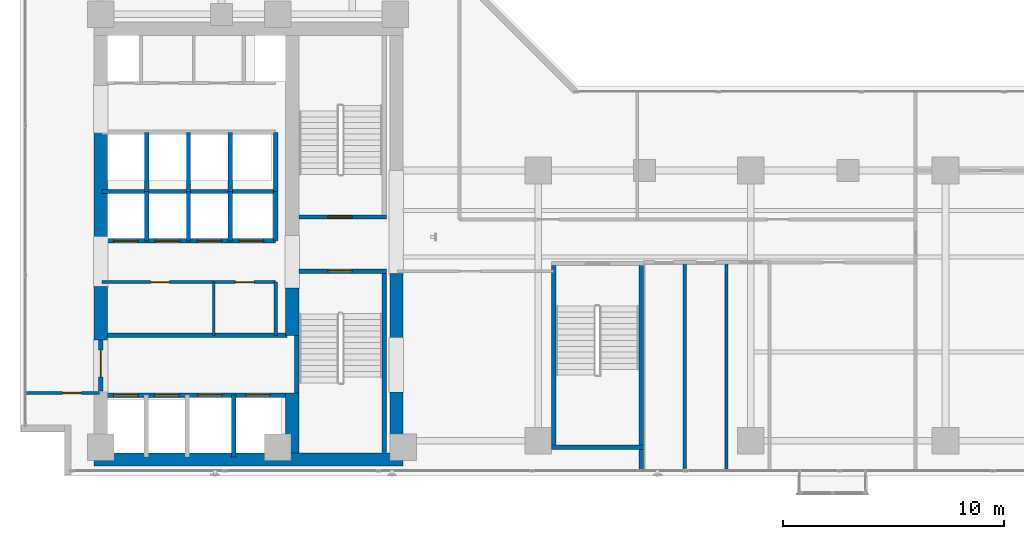
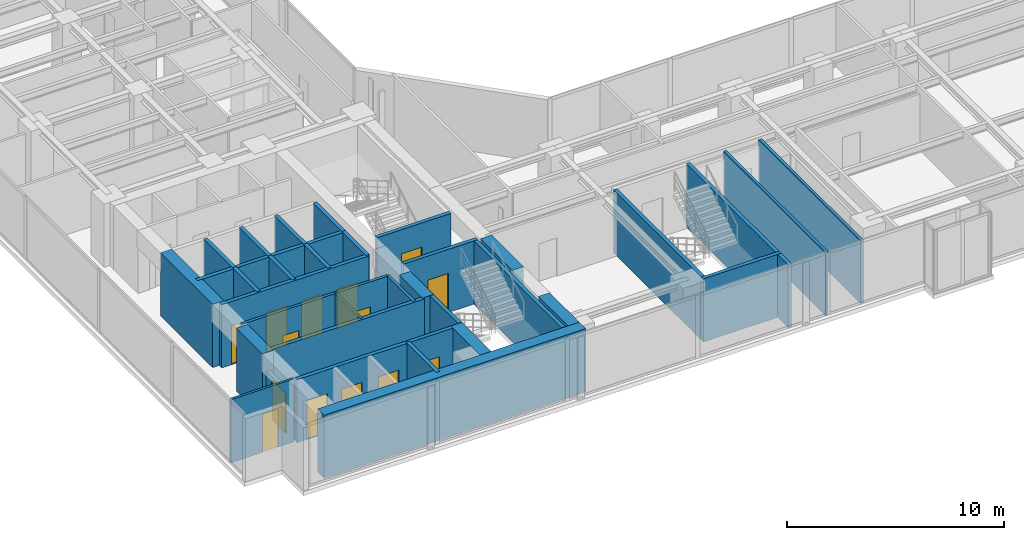
# One storey, part 19 of 26: 34 walls, 14 doors, 14 openings.
"""IFC4 building model written with IfcOpenShell, lengths in metres."""

from ifc_helpers import new_model, si_unit, direction, frame, frame_2d, origin, place, context, subcontext, project, spatial, rectangle, extrude, material, layer, layer_set, type_object, element, fill, save


model = new_model("IFC4")

# Units and contexts
model_context = context("Model", 3, precision=1e-05, world=origin(), true_north=direction((0.0, 1.0)))
body_context = subcontext(model_context, "Body", "Model", "MODEL_VIEW")
ifc_project = project(units=[si_unit("LENGTHUNIT", "METRE"), si_unit("AREAUNIT", "SQUARE_METRE"), si_unit("VOLUMEUNIT", "CUBIC_METRE"), si_unit("PLANEANGLEUNIT", "RADIAN"), si_unit("MASSUNIT", "GRAM", prefix="KILO")], contexts=[model_context])

# Site, building, storey
site_placement = place(None, origin())
site = spatial("IfcSite", under=ifc_project, at=site_placement, CompositionType="ELEMENT")
building_placement = place(site_placement, origin())
building = spatial("IfcBuilding", under=site, at=building_placement, Name="Kolvaren Waterfront Exchange", CompositionType="ELEMENT")
storey_placement = place(building_placement, frame((0.0, 0.0, 165.199951171875)))
storey = spatial("IfcBuildingStorey", under=building, at=storey_placement, Name="L42", CompositionType="ELEMENT", Elevation=165.199951171875)

# Wall, opening, door
ifc_material_1 = material(Name="Precast concrete C40/50", Category="concrete")
ifc_layer_1 = layer(ifc_material_1, 0.199951171875, Name="Precast concrete C40/50")
ifc_layer_set_1 = layer_set([ifc_layer_1], Name="Precast concrete C40/50")
wall_type_1 = type_object("IfcWallType", Name="ARC-FIRE-200", PredefinedType="PARTITIONING", material=ifc_layer_set_1)
wall_1_placement = place(storey_placement, frame((16.39990234375, 12.85009765625, 0.0), z_axis=(0.0, 0.0, 1.0), x_axis=(1.0, 0.0, 0.0)))
wall_1 = element("IfcWall", 1, at=wall_1_placement, inside=storey, type_object=wall_type_1, Name="L42 interior wall PW-L42-ST1-THROAT-S", PredefinedType="PARTITIONING", context=body_context, shape_type="SweptSolid", body=[
    extrude(rectangle(XDim=3.960205078125, YDim=0.199951171875, at=frame_2d((1.97998046875, 0.0))), origin(), (0.0, 0.0, 1.0), 3.56005859375),
])
opening_1_placement = place(wall_1_placement, frame((1.3037109375, 0.0, 0.0)))
opening_1 = element("IfcOpeningElement", 2, at=opening_1_placement, cuts=wall_1, Name="Opening FD2", PredefinedType="OPENING", context=body_context, shape_type="SweptSolid", body=[
    extrude(rectangle(XDim=1.10009765625, YDim=2.199951171875, at=frame_2d((0.550048828125, 1.10009765625))), frame((0.0, 0.10986328125, 0.0), z_axis=(0.0, -1.0, 0.0), x_axis=(1.0, 0.0, 0.0)), (0.0, 0.0, 1.0), 0.219970703125),
])
ifc_material_2 = material(Name="Pressed steel smoke-seal fire door", Category="steel")
door_type_1 = type_object("IfcDoorType", Name="ARC-FD-1100", OperationType="NOTDEFINED", PredefinedType="DOOR", material=ifc_material_2)
door_1_placement = place(opening_1_placement, frame((1.10009765625, 0.0, 0.0), z_axis=(0.0, 0.0, 1.0), x_axis=(-1.0, 0.0, 0.0)))
door_1 = element("IfcDoor", 3, at=door_1_placement, inside=storey, type_object=door_type_1, Name="L42 door DR-L42-ST1-IN (FD2)", OperationType="SINGLE_SWING_RIGHT", OverallHeight=2.199951171875, OverallWidth=1.10009765625, PredefinedType="DOOR", context=body_context, shape_type="SweptSolid", body=[
    extrude(rectangle(XDim=1.10009765625, YDim=2.199951171875, at=frame_2d((0.550048828125, 1.10009765625))), frame((0.0, 0.02490234375, 0.0), z_axis=(0.0, -1.0, 0.0), x_axis=(1.0, 0.0, 0.0)), (0.0, 0.0, 1.0), 0.050048828125),
])
fill(opening_1, door_1)

wall_2_placement = place(storey_placement, frame((16.409912109375, 15.300048828125, 0.0), z_axis=(0.0, 0.0, 1.0), x_axis=(1.0, 0.0, 0.0)))
wall_2 = element("IfcWall", 4, at=wall_2_placement, inside=storey, type_object=wall_type_1, Name="L42 interior wall PW-L42-ST2-THROAT-N", PredefinedType="PARTITIONING", context=body_context, shape_type="SweptSolid", body=[
    extrude(rectangle(XDim=3.9501953125, YDim=0.199951171875, at=frame_2d((1.97509765625, 0.0))), origin(), (0.0, 0.0, 1.0), 3.56005859375),
])
opening_2_placement = place(wall_2_placement, frame((1.293701171875, 0.0, 0.0)))
opening_2 = element("IfcOpeningElement", 5, at=opening_2_placement, cuts=wall_2, Name="Opening FD2", PredefinedType="OPENING", context=body_context, shape_type="SweptSolid", body=[
    extrude(rectangle(XDim=1.10009765625, YDim=2.199951171875, at=frame_2d((0.550048828125, 1.10009765625))), frame((0.0, 0.10986328125, 0.0), z_axis=(0.0, -1.0, 0.0), x_axis=(1.0, 0.0, 0.0)), (0.0, 0.0, 1.0), 0.219970703125),
])
door_2_placement = place(opening_2_placement, origin())
door_2 = element("IfcDoor", 6, at=door_2_placement, inside=storey, type_object=door_type_1, Name="L42 door DR-L42-ST2-IN (FD2)", OperationType="SINGLE_SWING_LEFT", OverallHeight=2.199951171875, OverallWidth=1.10009765625, PredefinedType="DOOR", context=body_context, shape_type="SweptSolid", body=[
    extrude(rectangle(XDim=1.10009765625, YDim=2.199951171875, at=frame_2d((0.550048828125, 1.10009765625))), frame((0.0, 0.02490234375, 0.0), z_axis=(0.0, -1.0, 0.0), x_axis=(1.0, 0.0, 0.0)), (0.0, 0.0, 1.0), 0.050048828125),
])
fill(opening_2, door_2)

# Wall
wall_3_placement = place(storey_placement, frame((7.5, 9.949951171875, 0.0), z_axis=(0.0, 0.0, 1.0), x_axis=(1.0, 0.0, 0.0)))
element("IfcWall", 7, at=wall_3_placement, inside=storey, type_object=wall_type_1, Name="L42 interior wall PW-L42-FF-N", PredefinedType="PARTITIONING", context=body_context, shape_type="SweptSolid", body=[
    extrude(rectangle(XDim=8.35009765625, YDim=0.199951171875, at=frame_2d((4.175048828125, 0.0))), origin(), (0.0, 0.0, 1.0), 3.56005859375),
])

# Wall, opening, door
wall_4_placement = place(storey_placement, frame((7.449951171875, 7.449951171875, 0.0), z_axis=(0.0, 0.0, 1.0), x_axis=(0.0, 1.0, 0.0)))
wall_4 = element("IfcWall", 8, at=wall_4_placement, inside=storey, type_object=wall_type_1, Name="L42 interior wall PW-L42-FF-W-DOOR", PredefinedType="PARTITIONING", context=body_context, shape_type="SweptSolid", body=[
    extrude(rectangle(XDim=2.300048828125, YDim=0.199951171875, at=frame_2d((1.14990234375, 0.0))), origin(), (0.0, 0.0, 1.0), 2.5400390625),
])
opening_3_placement = place(wall_4_placement, frame((0.63330078125, 0.0, 0.0)))
opening_3 = element("IfcOpeningElement", 9, at=opening_3_placement, cuts=wall_4, Name="Opening FD3", PredefinedType="OPENING", context=body_context, shape_type="SweptSolid", body=[
    extrude(rectangle(XDim=1.199951171875, YDim=2.25, at=frame_2d((0.60009765625, 1.125))), frame((0.0, 0.10986328125, 0.0), z_axis=(0.0, -1.0, 0.0), x_axis=(1.0, 0.0, 0.0)), (0.0, 0.0, 1.0), 0.219970703125),
])
ifc_material_3 = material(Name="Pressed steel fire door", Category="steel")
door_type_2 = type_object("IfcDoorType", Name="ARC-FD-1200", OperationType="NOTDEFINED", PredefinedType="DOOR", material=ifc_material_3)
door_3_placement = place(opening_3_placement, frame((1.199951171875, 0.0, 0.0), z_axis=(0.0, 0.0, 1.0), x_axis=(-1.0, 0.0, 0.0)))
door_3 = element("IfcDoor", 10, at=door_3_placement, inside=storey, type_object=door_type_2, Name="L42 door DR-L42-FF-OUT (FD3)", OperationType="SINGLE_SWING_LEFT", OverallHeight=2.25, OverallWidth=1.199951171875, PredefinedType="DOOR", context=body_context, shape_type="SweptSolid", body=[
    extrude(rectangle(XDim=1.199951171875, YDim=2.25, at=frame_2d((0.60009765625, 1.125))), frame((0.0, 0.02490234375, 0.0), z_axis=(0.0, -1.0, 0.0), x_axis=(1.0, 0.0, 0.0)), (0.0, 0.0, 1.0), 0.050048828125),
])
fill(opening_3, door_3)

# Wall
ifc_material_4 = material(Name="Acoustic gypsum steel stud", Category="steel")
ifc_layer_2 = layer(ifc_material_4, 0.125, Name="Acoustic gypsum steel stud")
ifc_layer_set_2 = layer_set([ifc_layer_2], Name="Acoustic gypsum steel stud")
wall_type_2 = type_object("IfcWallType", Name="ARC-PART-125", PredefinedType="PARTITIONING", material=ifc_layer_set_2)
wall_5_placement = place(storey_placement, frame((12.550048828125, 9.949951171875, 0.0), z_axis=(0.0, 0.0, 1.0), x_axis=(0.0, 1.0, 0.0)))
element("IfcWall", 11, at=wall_5_placement, inside=storey, type_object=wall_type_2, Name="L42 interior wall PW-L42-REC-PL-MID", PredefinedType="PARTITIONING", context=body_context, shape_type="SweptSolid", body=[
    extrude(rectangle(XDim=2.41015625, YDim=0.125, at=frame_2d((1.205078125, 0.0))), origin(), (0.0, 0.0, 1.0), 3.56005859375),
])

# Wall, opening, door
wall_6_placement = place(storey_placement, frame((4.0400390625, 7.35009765625, 0.0), z_axis=(0.0, 0.0, 1.0), x_axis=(1.0, 0.0, 0.0)))
wall_6 = element("IfcWall", 12, at=wall_6_placement, inside=storey, type_object=wall_type_2, Name="L42 interior wall PW-L42-SWC-N", PredefinedType="PARTITIONING", context=body_context, shape_type="SweptSolid", body=[
    extrude(rectangle(XDim=3.35986328125, YDim=0.125, at=frame_2d((1.679931640625, 0.0))), origin(), (0.0, 0.0, 1.0), 3.56005859375),
])
opening_4_placement = place(wall_6_placement, frame((1.686767578125, 0.0, 0.0)))
opening_4 = element("IfcOpeningElement", 13, at=opening_4_placement, cuts=wall_6, Name="Opening D01", PredefinedType="OPENING", context=body_context, shape_type="SweptSolid", body=[
    extrude(rectangle(XDim=0.85009765625, YDim=2.14990234375, at=frame_2d((0.425048828125, 1.074951171875))), frame((0.0, 0.072509765625, 0.0), z_axis=(0.0, -1.0, 0.0), x_axis=(1.0, 0.0, 0.0)), (0.0, 0.0, 1.0), 0.14501953125),
])
ifc_material_5 = material(Name="Oak veneer timber leaf", Category="wood")
door_type_3 = type_object("IfcDoorType", Name="ARC-DR-900", OperationType="NOTDEFINED", PredefinedType="DOOR", material=ifc_material_5)
door_4_placement = place(opening_4_placement, origin())
door_4 = element("IfcDoor", 14, at=door_4_placement, inside=storey, type_object=door_type_3, Name="L42 door DR-L42-SWC-D (D01)", OperationType="SINGLE_SWING_LEFT", OverallHeight=2.14990234375, OverallWidth=0.85009765625, PredefinedType="DOOR", context=body_context, shape_type="SweptSolid", body=[
    extrude(rectangle(XDim=0.85009765625, YDim=2.14990234375, at=frame_2d((0.425048828125, 1.074951171875))), frame((0.0, 0.02490234375, 0.0), z_axis=(0.0, -1.0, 0.0), x_axis=(1.0, 0.0, 0.0)), (0.0, 0.0, 1.0), 0.050048828125),
])
fill(opening_4, door_4)

# Wall, openings, doors
ifc_material_6 = material(Name="Gypsum fireboard steel stud", Category="steel")
ifc_layer_3 = layer(ifc_material_6, 0.14990234375, Name="Gypsum fireboard steel stud")
ifc_layer_set_3 = layer_set([ifc_layer_3], Name="Gypsum fireboard steel stud")
wall_type_3 = type_object("IfcWallType", Name="ARC-PART-150", PredefinedType="PARTITIONING", material=ifc_layer_set_3)
wall_7_placement = place(storey_placement, frame((7.5, 12.360107421875, 0.0), z_axis=(0.0, 0.0, 1.0), x_axis=(1.0, 0.0, 0.0)))
wall_7 = element("IfcWall", 15, at=wall_7_placement, inside=storey, type_object=wall_type_3, Name="L42 interior wall PW-L42-REC-PL-N", PredefinedType="PARTITIONING", context=body_context, shape_type="SweptSolid", body=[
    extrude(rectangle(XDim=7.85009765625, YDim=0.14990234375, at=frame_2d((3.925048828125, 0.0))), origin(), (0.0, 0.0, 1.0), 3.56005859375),
])
opening_5_placement = place(wall_7_placement, frame((2.202392578125, 0.0, 0.0)))
opening_5 = element("IfcOpeningElement", 16, at=opening_5_placement, cuts=wall_7, Name="Opening D01", PredefinedType="OPENING", context=body_context, shape_type="SweptSolid", body=[
    extrude(rectangle(XDim=0.85009765625, YDim=2.14990234375, at=frame_2d((0.425048828125, 1.074951171875))), frame((0.0, 0.0849609375, 0.0), z_axis=(0.0, -1.0, 0.0), x_axis=(1.0, 0.0, 0.0)), (0.0, 0.0, 1.0), 0.169921875),
])
opening_6_placement = place(wall_7_placement, frame((6.02490234375, 0.0, 0.0)))
opening_6 = element("IfcOpeningElement", 17, at=opening_6_placement, cuts=wall_7, Name="Opening D01", PredefinedType="OPENING", context=body_context, shape_type="SweptSolid", body=[
    extrude(rectangle(XDim=0.85009765625, YDim=2.14990234375, at=frame_2d((0.425048828125, 1.074951171875))), frame((0.0, 0.0849609375, 0.0), z_axis=(0.0, -1.0, 0.0), x_axis=(1.0, 0.0, 0.0)), (0.0, 0.0, 1.0), 0.169921875),
])
door_5_placement = place(opening_5_placement, origin())
door_5 = element("IfcDoor", 18, at=door_5_placement, inside=storey, type_object=door_type_3, Name="L42 door DR-L42-REC-PL-D1 (D01)", OperationType="SINGLE_SWING_RIGHT", OverallHeight=2.14990234375, OverallWidth=0.85009765625, PredefinedType="DOOR", context=body_context, shape_type="SweptSolid", body=[
    extrude(rectangle(XDim=0.85009765625, YDim=2.14990234375, at=frame_2d((0.425048828125, 1.074951171875))), frame((0.0, 0.02490234375, 0.0), z_axis=(0.0, -1.0, 0.0), x_axis=(1.0, 0.0, 0.0)), (0.0, 0.0, 1.0), 0.050048828125),
])
fill(opening_5, door_5)
door_6_placement = place(opening_6_placement, origin())
door_6 = element("IfcDoor", 19, at=door_6_placement, inside=storey, type_object=door_type_3, Name="L42 door DR-L42-REC-PL-D2 (D01)", OperationType="SINGLE_SWING_LEFT", OverallHeight=2.14990234375, OverallWidth=0.85009765625, PredefinedType="DOOR", context=body_context, shape_type="SweptSolid", body=[
    extrude(rectangle(XDim=0.85009765625, YDim=2.14990234375, at=frame_2d((0.425048828125, 1.074951171875))), frame((0.0, 0.02490234375, 0.0), z_axis=(0.0, -1.0, 0.0), x_axis=(1.0, 0.0, 0.0)), (0.0, 0.0, 1.0), 0.050048828125),
])
fill(opening_6, door_6)

# Walls
wall_8_placement = place(storey_placement, frame((15.35009765625, 9.949951171875, 0.0), z_axis=(0.0, 0.0, 1.0), x_axis=(0.0, 1.0, 0.0)))
element("IfcWall", 20, at=wall_8_placement, inside=storey, type_object=wall_type_3, Name="L42 interior wall PW-L42-REC-PL-E", PredefinedType="PARTITIONING", context=body_context, shape_type="SweptSolid", body=[
    extrude(rectangle(XDim=2.41015625, YDim=0.14990234375, at=frame_2d((1.205078125, 0.0))), origin(), (0.0, 0.0, 1.0), 3.56005859375),
])
ifc_material_7 = material(Name="Moisture-resistant gypsum stud")
ifc_layer_4 = layer(ifc_material_7, 0.14990234375, Name="Moisture-resistant gypsum stud")
ifc_layer_set_4 = layer_set([ifc_layer_4], Name="Moisture-resistant gypsum stud")
wall_type_4 = type_object("IfcWallType", Name="ARC-PLUMB-150", PredefinedType="PLUMBINGWALL", material=ifc_layer_set_4)
for number, where, z_axis, x_axis, name in (
    (21, (33.830078125, 3.840087890625, 0.0), (0.0, 0.0, 1.0), (0.0, 1.0, 0.0), "L42 interior wall PW-L42-WC-1"),
    (22, (35.7099609375, 3.840087890625, 0.0), (0.0, 0.0, 1.0), (0.0, 1.0, 0.0), "L42 interior wall PW-L42-WC-2"),
):
    element("IfcWall", number, at=place(storey_placement, frame(where, z_axis=z_axis, x_axis=x_axis)), inside=storey, type_object=wall_type_4, Name=name, PredefinedType="PLUMBINGWALL", context=body_context, shape_type="SweptSolid", body=[
        extrude(rectangle(XDim=9.409912109375, YDim=0.14990234375, at=frame_2d((4.705078125, 0.0))), origin(), (0.0, 0.0, 1.0), 3.56005859375),
    ])
ifc_material_8 = material(Name="Concrete C40/50", Category="concrete")
ifc_layer_5 = layer(ifc_material_8, 0.199951171875, Name="Concrete C40/50")
ifc_layer_set_5 = layer_set([ifc_layer_5], Name="Concrete C40/50")
wall_type_5 = type_object("IfcWallType", Name="ARC-SHAFT-200", PredefinedType="PARTITIONING", material=ifc_layer_set_5)
wall_9_placement = place(storey_placement, frame((16.300048828125, 7.360107421875, 0.0), z_axis=(0.0, 0.0, 1.0), x_axis=(0.0, 1.0, 0.0)))
element("IfcWall", 23, at=wall_9_placement, inside=storey, type_object=wall_type_5, Name="L42 structural stairwell wall PW-L42-ST1-W", PredefinedType="SHEAR", context=body_context, shape_type="SweptSolid", body=[
    extrude(rectangle(XDim=2.579833984375, YDim=0.199951171875, at=frame_2d((1.2900390625, 0.0))), origin(), (0.0, 0.0, 1.0), 3.56005859375),
])
wall_10_placement = place(storey_placement, frame((20.260009765625, 4.659912109375, 0.0), z_axis=(0.0, 0.0, 1.0), x_axis=(0.0, 1.0, 0.0)))
element("IfcWall", 24, at=wall_10_placement, inside=storey, type_object=wall_type_5, Name="L42 structural stairwell wall PW-L42-ST1-E", PredefinedType="SHEAR", context=body_context, shape_type="SweptSolid", body=[
    extrude(rectangle(XDim=8.090087890625, YDim=0.199951171875, at=frame_2d((4.044921875, 0.0))), origin(), (0.0, 0.0, 1.0), 3.56005859375),
])
wall_11_placement = place(storey_placement, frame((27.89990234375, 5.0, 0.0), z_axis=(0.0, 0.0, 1.0), x_axis=(0.0, 1.0, 0.0)))
element("IfcWall", 25, at=wall_11_placement, inside=storey, type_object=wall_type_5, Name="L42 structural stairwell wall PW-L42-ST3-W", PredefinedType="SHEAR", context=body_context, shape_type="SweptSolid", body=[
    extrude(rectangle(XDim=8.10009765625, YDim=0.199951171875, at=frame_2d((4.050048828125, 0.0))), origin(), (0.0, 0.0, 1.0), 3.56005859375),
])
wall_12_placement = place(storey_placement, frame((31.860107421875, 3.840087890625, 0.0), z_axis=(0.0, 0.0, 1.0), x_axis=(0.0, 1.0, 0.0)))
element("IfcWall", 26, at=wall_12_placement, inside=storey, type_object=wall_type_5, Name="L42 structural stairwell wall PW-L42-ST3-E", PredefinedType="SHEAR", context=body_context, shape_type="SweptSolid", body=[
    extrude(rectangle(XDim=9.409912109375, YDim=0.199951171875, at=frame_2d((4.705078125, 0.0))), origin(), (0.0, 0.0, 1.0), 3.56005859375),
])
wall_13_placement = place(storey_placement, frame((27.800048828125, 4.89990234375, 0.0), z_axis=(0.0, 0.0, 1.0), x_axis=(1.0, 0.0, 0.0)))
element("IfcWall", 27, at=wall_13_placement, inside=storey, type_object=wall_type_5, Name="L42 structural stairwell wall PW-L42-ST3-S", PredefinedType="SHEAR", context=body_context, shape_type="SweptSolid", body=[
    extrude(rectangle(XDim=4.159912109375, YDim=0.199951171875, at=frame_2d((2.080078125, 0.0))), origin(), (0.0, 0.0, 1.0), 3.56005859375),
])

# Wall, openings, doors
wall_14_placement = place(storey_placement, frame((7.5, 7.25, 0.0), z_axis=(0.0, 0.0, 1.0), x_axis=(1.0, 0.0, 0.0)))
wall_14 = element("IfcWall", 28, at=wall_14_placement, inside=storey, type_object=wall_type_5, Name="L42 interior wall PW-L42-FF-S", PredefinedType="PARTITIONING", context=body_context, shape_type="SweptSolid", body=[
    extrude(rectangle(XDim=8.35009765625, YDim=0.199951171875, at=frame_2d((4.175048828125, 0.0))), origin(), (0.0, 0.0, 1.0), 3.56005859375),
])
opening_7_placement = place(wall_14_placement, frame((0.530029296875, 0.0, 0.0)))
opening_7 = element("IfcOpeningElement", 29, at=opening_7_placement, cuts=wall_14, Name="Opening LD1", PredefinedType="OPENING", context=body_context, shape_type="SweptSolid", body=[
    extrude(rectangle(XDim=1.10009765625, YDim=2.199951171875, at=frame_2d((0.550048828125, 1.10009765625))), frame((0.0, 0.10986328125, 0.0), z_axis=(0.0, -1.0, 0.0), x_axis=(1.0, 0.0, 0.0)), (0.0, 0.0, 1.0), 0.219970703125),
])
opening_8_placement = place(wall_14_placement, frame((2.3701171875, 0.0, 0.0)))
opening_8 = element("IfcOpeningElement", 30, at=opening_8_placement, cuts=wall_14, Name="Opening LD1", PredefinedType="OPENING", context=body_context, shape_type="SweptSolid", body=[
    extrude(rectangle(XDim=1.10009765625, YDim=2.199951171875, at=frame_2d((0.550048828125, 1.10009765625))), frame((0.0, 0.10986328125, 0.0), z_axis=(0.0, -1.0, 0.0), x_axis=(1.0, 0.0, 0.0)), (0.0, 0.0, 1.0), 0.219970703125),
])
opening_9_placement = place(wall_14_placement, frame((4.330078125, 0.0, 0.0)))
opening_9 = element("IfcOpeningElement", 31, at=opening_9_placement, cuts=wall_14, Name="Opening LD1", PredefinedType="OPENING", context=body_context, shape_type="SweptSolid", body=[
    extrude(rectangle(XDim=1.10009765625, YDim=2.199951171875, at=frame_2d((0.550048828125, 1.10009765625))), frame((0.0, 0.10986328125, 0.0), z_axis=(0.0, -1.0, 0.0), x_axis=(1.0, 0.0, 0.0)), (0.0, 0.0, 1.0), 0.219970703125),
])
opening_10_placement = place(wall_14_placement, frame((6.5, 0.0, 0.0)))
opening_10 = element("IfcOpeningElement", 32, at=opening_10_placement, cuts=wall_14, Name="Opening LD1", PredefinedType="OPENING", context=body_context, shape_type="SweptSolid", body=[
    extrude(rectangle(XDim=1.10009765625, YDim=2.199951171875, at=frame_2d((0.550048828125, 1.10009765625))), frame((0.0, 0.10986328125, 0.0), z_axis=(0.0, -1.0, 0.0), x_axis=(1.0, 0.0, 0.0)), (0.0, 0.0, 1.0), 0.219970703125),
])
ifc_material_9 = material(Name="Stainless steel sliding landing door", Category="steel")
door_type_4 = type_object("IfcDoorType", Name="ARC-LD-FF", OperationType="SLIDING_TO_LEFT", PredefinedType="DOOR", material=ifc_material_9)
door_7_placement = place(opening_7_placement, origin())
door_7 = element("IfcDoor", 33, at=door_7_placement, inside=storey, type_object=door_type_4, Name="L42 door LD-L42-FFL1 (LD1)", OperationType="SLIDING_TO_LEFT", OverallHeight=2.199951171875, OverallWidth=1.10009765625, PredefinedType="DOOR", context=body_context, shape_type="SweptSolid", body=[
    extrude(rectangle(XDim=1.10009765625, YDim=2.199951171875, at=frame_2d((0.550048828125, 1.10009765625))), frame((0.0, 0.02490234375, 0.0), z_axis=(0.0, -1.0, 0.0), x_axis=(1.0, 0.0, 0.0)), (0.0, 0.0, 1.0), 0.050048828125),
])
fill(opening_7, door_7)
door_8_placement = place(opening_8_placement, origin())
door_8 = element("IfcDoor", 34, at=door_8_placement, inside=storey, type_object=door_type_4, Name="L42 door LD-L42-FFL2 (LD1)", OperationType="SLIDING_TO_LEFT", OverallHeight=2.199951171875, OverallWidth=1.10009765625, PredefinedType="DOOR", context=body_context, shape_type="SweptSolid", body=[
    extrude(rectangle(XDim=1.10009765625, YDim=2.199951171875, at=frame_2d((0.550048828125, 1.10009765625))), frame((0.0, 0.02490234375, 0.0), z_axis=(0.0, -1.0, 0.0), x_axis=(1.0, 0.0, 0.0)), (0.0, 0.0, 1.0), 0.050048828125),
])
fill(opening_8, door_8)
door_9_placement = place(opening_9_placement, origin())
door_9 = element("IfcDoor", 35, at=door_9_placement, inside=storey, type_object=door_type_4, Name="L42 door LD-L42-GL1 (LD1)", OperationType="SLIDING_TO_LEFT", OverallHeight=2.199951171875, OverallWidth=1.10009765625, PredefinedType="DOOR", context=body_context, shape_type="SweptSolid", body=[
    extrude(rectangle(XDim=1.10009765625, YDim=2.199951171875, at=frame_2d((0.550048828125, 1.10009765625))), frame((0.0, 0.02490234375, 0.0), z_axis=(0.0, -1.0, 0.0), x_axis=(1.0, 0.0, 0.0)), (0.0, 0.0, 1.0), 0.050048828125),
])
fill(opening_9, door_9)
door_10_placement = place(opening_10_placement, origin())
door_10 = element("IfcDoor", 36, at=door_10_placement, inside=storey, type_object=door_type_4, Name="L42 door LD-L42-GL2 (LD1)", OperationType="SLIDING_TO_LEFT", OverallHeight=2.199951171875, OverallWidth=1.10009765625, PredefinedType="DOOR", context=body_context, shape_type="SweptSolid", body=[
    extrude(rectangle(XDim=1.10009765625, YDim=2.199951171875, at=frame_2d((0.550048828125, 1.10009765625))), frame((0.0, 0.02490234375, 0.0), z_axis=(0.0, -1.0, 0.0), x_axis=(1.0, 0.0, 0.0)), (0.0, 0.0, 1.0), 0.050048828125),
])
fill(opening_10, door_10)

# Wall
wall_15_placement = place(storey_placement, frame((13.4599609375, 4.449951171875, 0.0), z_axis=(0.0, 0.0, 1.0), x_axis=(0.0, 1.0, 0.0)))
element("IfcWall", 37, at=wall_15_placement, inside=storey, type_object=wall_type_5, Name="L42 interior wall PW-L42-SH1-DIV-134", PredefinedType="PARTITIONING", context=body_context, shape_type="SweptSolid", body=[
    extrude(rectangle(XDim=2.800048828125, YDim=0.199951171875, at=frame_2d((1.39990234375, 0.0))), origin(), (0.0, 0.0, 1.0), 3.56005859375),
])

# Wall, openings, doors
wall_16_placement = place(storey_placement, frame((7.5, 14.219970703125, 0.0), z_axis=(0.0, 0.0, 1.0), x_axis=(1.0, 0.0, 0.0)))
wall_16 = element("IfcWall", 38, at=wall_16_placement, inside=storey, type_object=wall_type_5, Name="L42 interior wall PW-L42-PM-S", PredefinedType="PARTITIONING", context=body_context, shape_type="SweptSolid", body=[
    extrude(rectangle(XDim=7.85009765625, YDim=0.199951171875, at=frame_2d((3.925048828125, 0.0))), origin(), (0.0, 0.0, 1.0), 3.56005859375),
])
opening_11_placement = place(wall_16_placement, frame((0.530029296875, 0.0, 0.0)))
opening_11 = element("IfcOpeningElement", 39, at=opening_11_placement, cuts=wall_16, Name="Opening LD2", PredefinedType="OPENING", context=body_context, shape_type="SweptSolid", body=[
    extrude(rectangle(XDim=1.10009765625, YDim=2.199951171875, at=frame_2d((0.550048828125, 1.10009765625))), frame((0.0, 0.10986328125, 0.0), z_axis=(0.0, -1.0, 0.0), x_axis=(1.0, 0.0, 0.0)), (0.0, 0.0, 1.0), 0.219970703125),
])
opening_12_placement = place(wall_16_placement, frame((2.419921875, 0.0, 0.0)))
opening_12 = element("IfcOpeningElement", 40, at=opening_12_placement, cuts=wall_16, Name="Opening LD2", PredefinedType="OPENING", context=body_context, shape_type="SweptSolid", body=[
    extrude(rectangle(XDim=1.10009765625, YDim=2.199951171875, at=frame_2d((0.550048828125, 1.10009765625))), frame((0.0, 0.10986328125, 0.0), z_axis=(0.0, -1.0, 0.0), x_axis=(1.0, 0.0, 0.0)), (0.0, 0.0, 1.0), 0.219970703125),
])
opening_13_placement = place(wall_16_placement, frame((4.31005859375, 0.0, 0.0)))
opening_13 = element("IfcOpeningElement", 41, at=opening_13_placement, cuts=wall_16, Name="Opening LD2", PredefinedType="OPENING", context=body_context, shape_type="SweptSolid", body=[
    extrude(rectangle(XDim=1.10009765625, YDim=2.199951171875, at=frame_2d((0.550048828125, 1.10009765625))), frame((0.0, 0.10986328125, 0.0), z_axis=(0.0, -1.0, 0.0), x_axis=(1.0, 0.0, 0.0)), (0.0, 0.0, 1.0), 0.219970703125),
])
opening_14_placement = place(wall_16_placement, frame((6.199951171875, 0.0, 0.0)))
opening_14 = element("IfcOpeningElement", 42, at=opening_14_placement, cuts=wall_16, Name="Opening LD2", PredefinedType="OPENING", context=body_context, shape_type="SweptSolid", body=[
    extrude(rectangle(XDim=1.10009765625, YDim=2.199951171875, at=frame_2d((0.550048828125, 1.10009765625))), frame((0.0, 0.10986328125, 0.0), z_axis=(0.0, -1.0, 0.0), x_axis=(1.0, 0.0, 0.0)), (0.0, 0.0, 1.0), 0.219970703125),
])
ifc_material_10 = material(Name="Brushed bronze sliding landing door", Category="aluminium")
door_type_5 = type_object("IfcDoorType", Name="ARC-LD-PAX", OperationType="SLIDING_TO_LEFT", PredefinedType="DOOR", material=ifc_material_10)
door_11_placement = place(opening_11_placement, frame((1.10009765625, 0.0, 0.0), z_axis=(0.0, 0.0, 1.0), x_axis=(-1.0, 0.0, 0.0)))
door_11 = element("IfcDoor", 43, at=door_11_placement, inside=storey, type_object=door_type_5, Name="L42 door LD-L42-PM1 (LD2)", OperationType="SLIDING_TO_LEFT", OverallHeight=2.199951171875, OverallWidth=1.10009765625, PredefinedType="DOOR", context=body_context, shape_type="SweptSolid", body=[
    extrude(rectangle(XDim=1.10009765625, YDim=2.199951171875, at=frame_2d((0.550048828125, 1.10009765625))), frame((0.0, 0.02490234375, 0.0), z_axis=(0.0, -1.0, 0.0), x_axis=(1.0, 0.0, 0.0)), (0.0, 0.0, 1.0), 0.050048828125),
])
fill(opening_11, door_11)
door_12_placement = place(opening_12_placement, frame((1.10009765625, 0.0, 0.0), z_axis=(0.0, 0.0, 1.0), x_axis=(-1.0, 0.0, 0.0)))
door_12 = element("IfcDoor", 44, at=door_12_placement, inside=storey, type_object=door_type_5, Name="L42 door LD-L42-PM2 (LD2)", OperationType="SLIDING_TO_LEFT", OverallHeight=2.199951171875, OverallWidth=1.10009765625, PredefinedType="DOOR", context=body_context, shape_type="SweptSolid", body=[
    extrude(rectangle(XDim=1.10009765625, YDim=2.199951171875, at=frame_2d((0.550048828125, 1.10009765625))), frame((0.0, 0.02490234375, 0.0), z_axis=(0.0, -1.0, 0.0), x_axis=(1.0, 0.0, 0.0)), (0.0, 0.0, 1.0), 0.050048828125),
])
fill(opening_12, door_12)
door_13_placement = place(opening_13_placement, frame((1.10009765625, 0.0, 0.0), z_axis=(0.0, 0.0, 1.0), x_axis=(-1.0, 0.0, 0.0)))
door_13 = element("IfcDoor", 45, at=door_13_placement, inside=storey, type_object=door_type_5, Name="L42 door LD-L42-PM3 (LD2)", OperationType="SLIDING_TO_LEFT", OverallHeight=2.199951171875, OverallWidth=1.10009765625, PredefinedType="DOOR", context=body_context, shape_type="SweptSolid", body=[
    extrude(rectangle(XDim=1.10009765625, YDim=2.199951171875, at=frame_2d((0.550048828125, 1.10009765625))), frame((0.0, 0.02490234375, 0.0), z_axis=(0.0, -1.0, 0.0), x_axis=(1.0, 0.0, 0.0)), (0.0, 0.0, 1.0), 0.050048828125),
])
fill(opening_13, door_13)
door_14_placement = place(opening_14_placement, frame((1.10009765625, 0.0, 0.0), z_axis=(0.0, 0.0, 1.0), x_axis=(-1.0, 0.0, 0.0)))
door_14 = element("IfcDoor", 46, at=door_14_placement, inside=storey, type_object=door_type_5, Name="L42 door LD-L42-PM4 (LD2)", OperationType="SLIDING_TO_LEFT", OverallHeight=2.199951171875, OverallWidth=1.10009765625, PredefinedType="DOOR", context=body_context, shape_type="SweptSolid", body=[
    extrude(rectangle(XDim=1.10009765625, YDim=2.199951171875, at=frame_2d((0.550048828125, 1.10009765625))), frame((0.0, 0.02490234375, 0.0), z_axis=(0.0, -1.0, 0.0), x_axis=(1.0, 0.0, 0.0)), (0.0, 0.0, 1.0), 0.050048828125),
])
fill(opening_14, door_14)

# Walls
wall_17_placement = place(storey_placement, frame((7.5, 16.449951171875, 0.0), z_axis=(0.0, 0.0, 1.0), x_axis=(1.0, 0.0, 0.0)))
element("IfcWall", 47, at=wall_17_placement, inside=storey, type_object=wall_type_5, Name="L42 interior wall PW-L42-PM-N", PredefinedType="PARTITIONING", context=body_context, shape_type="SweptSolid", body=[
    extrude(rectangle(XDim=7.85009765625, YDim=0.199951171875, at=frame_2d((3.925048828125, 0.0))), origin(), (0.0, 0.0, 1.0), 3.56005859375),
])
for number, where, z_axis, x_axis, name in (
    (48, (15.35009765625, 14.219970703125, 0.0), (0.0, 0.0, 1.0), (0.0, 1.0, 0.0), "L42 interior wall PW-L42-PM-E"),
    (49, (9.52001953125, 14.219970703125, 0.0), (0.0, 0.0, 1.0), (0.0, 1.0, 0.0), "L42 interior wall PW-L42-SH3-DIV-95"),
    (50, (11.409912109375, 14.219970703125, 0.0), (0.0, 0.0, 1.0), (0.0, 1.0, 0.0), "L42 interior wall PW-L42-SH3-DIV-114"),
    (51, (13.300048828125, 14.219970703125, 0.0), (0.0, 0.0, 1.0), (0.0, 1.0, 0.0), "L42 interior wall PW-L42-SH3-DIV-133"),
):
    element("IfcWall", number, at=place(storey_placement, frame(where, z_axis=z_axis, x_axis=x_axis)), inside=storey, type_object=wall_type_5, Name=name, PredefinedType="PARTITIONING", context=body_context, shape_type="SweptSolid", body=[
        extrude(rectangle(XDim=2.22998046875, YDim=0.199951171875, at=frame_2d((1.114990234375, 0.0))), origin(), (0.0, 0.0, 1.0), 3.56005859375),
    ])
for number, where, z_axis, x_axis, name in (
    (52, (15.35009765625, 16.449951171875, 0.0), (0.0, 0.0, 1.0), (0.0, 1.0, 0.0), "L42 interior wall PW-L42-PH-E"),
    (53, (9.52001953125, 16.449951171875, 0.0), (0.0, 0.0, 1.0), (0.0, 1.0, 0.0), "L42 interior wall PW-L42-SH4-DIV-95"),
    (54, (11.409912109375, 16.449951171875, 0.0), (0.0, 0.0, 1.0), (0.0, 1.0, 0.0), "L42 interior wall PW-L42-SH4-DIV-114"),
    (55, (13.300048828125, 16.449951171875, 0.0), (0.0, 0.0, 1.0), (0.0, 1.0, 0.0), "L42 interior wall PW-L42-SH4-DIV-133"),
):
    element("IfcWall", number, at=place(storey_placement, frame(where, z_axis=z_axis, x_axis=x_axis)), inside=storey, type_object=wall_type_5, Name=name, PredefinedType="PARTITIONING", context=body_context, shape_type="SweptSolid", body=[
        extrude(rectangle(XDim=2.670166015625, YDim=0.199951171875, at=frame_2d((1.3349609375, 0.0))), origin(), (0.0, 0.0, 1.0), 3.56005859375),
    ])
ifc_material_11 = material(Name="Concrete C60/75", Category="concrete")
ifc_layer_6 = layer(ifc_material_11, 0.60009765625, Name="Concrete C60/75")
ifc_layer_set_6 = layer_set([ifc_layer_6], Name="Concrete C60/75")
wall_type_6 = type_object("IfcWallType", Name="STR-CWALL-600", PredefinedType="SHEAR", material=ifc_layer_set_6)
wall_18_placement = place(storey_placement, frame((7.14990234375, 4.35009765625, 0.0), z_axis=(0.0, 0.0, 1.0), x_axis=(1.0, 0.0, 0.0)))
element("IfcWall", 56, at=wall_18_placement, inside=storey, type_object=wall_type_6, Name="L42 rear-core shear wall S", PredefinedType="SHEAR", context=body_context, shape_type="SweptSolid", body=[
    extrude(rectangle(XDim=13.9501953125, YDim=0.60009765625, at=frame_2d((6.97509765625, 0.0))), origin(), (0.0, 0.0, 1.0), 3.56005859375),
])
wall_19_placement = place(storey_placement, frame((7.449951171875, 9.75, 0.0), z_axis=(0.0, 0.0, 1.0), x_axis=(0.0, 1.0, 0.0)))
element("IfcWall", 57, at=wall_19_placement, inside=storey, type_object=wall_type_6, Name="L42 rear-core shear wall W2A", PredefinedType="SHEAR", context=body_context, shape_type="SweptSolid", body=[
    extrude(rectangle(XDim=2.39990234375, YDim=0.60009765625, at=frame_2d((1.199951171875, 0.0))), origin(), (0.0, 0.0, 1.0), 3.56005859375),
])
wall_20_placement = place(storey_placement, frame((7.449951171875, 14.35009765625, 0.0), z_axis=(0.0, 0.0, 1.0), x_axis=(0.0, 1.0, 0.0)))
element("IfcWall", 58, at=wall_20_placement, inside=storey, type_object=wall_type_6, Name="L42 rear-core shear wall W2B", PredefinedType="SHEAR", context=body_context, shape_type="SweptSolid", body=[
    extrude(rectangle(XDim=4.809814453125, YDim=0.60009765625, at=frame_2d((2.40478515625, 0.0))), origin(), (0.0, 0.0, 1.0), 3.56005859375),
])
wall_21_placement = place(storey_placement, frame((20.800048828125, 4.64990234375, 0.0), z_axis=(0.0, 0.0, 1.0), x_axis=(0.0, 1.0, 0.0)))
element("IfcWall", 59, at=wall_21_placement, inside=storey, type_object=wall_type_6, Name="L42 rear-core shear wall E1", PredefinedType="SHEAR", context=body_context, shape_type="SweptSolid", body=[
    extrude(rectangle(XDim=2.75, YDim=0.60009765625, at=frame_2d((1.375, 0.0))), origin(), (0.0, 0.0, 1.0), 3.56005859375),
])
wall_22_placement = place(storey_placement, frame((20.800048828125, 9.800048828125, 0.0), z_axis=(0.0, 0.0, 1.0), x_axis=(0.0, 1.0, 0.0)))
element("IfcWall", 60, at=wall_22_placement, inside=storey, type_object=wall_type_6, Name="L42 rear-core shear wall E2", PredefinedType="SHEAR", context=body_context, shape_type="SweptSolid", body=[
    extrude(rectangle(XDim=2.949951171875, YDim=0.60009765625, at=frame_2d((1.47509765625, 0.0))), origin(), (0.0, 0.0, 1.0), 3.56005859375),
])
wall_23_placement = place(storey_placement, frame((16.10009765625, 4.64990234375, 0.0), z_axis=(0.0, 0.0, 1.0), x_axis=(0.0, 1.0, 0.0)))
element("IfcWall", 61, at=wall_23_placement, inside=storey, type_object=wall_type_6, Name="L42 rear-core shear wall M1", PredefinedType="SHEAR", context=body_context, shape_type="SweptSolid", body=[
    extrude(rectangle(XDim=2.7001953125, YDim=0.60009765625, at=frame_2d((1.35009765625, 0.0))), origin(), (0.0, 0.0, 1.0), 3.56005859375),
])
wall_24_placement = place(storey_placement, frame((16.10009765625, 9.949951171875, 0.0), z_axis=(0.0, 0.0, 1.0), x_axis=(0.0, 1.0, 0.0)))
element("IfcWall", 62, at=wall_24_placement, inside=storey, type_object=wall_type_6, Name="L42 rear-core shear wall M2", PredefinedType="SHEAR", context=body_context, shape_type="SweptSolid", body=[
    extrude(rectangle(XDim=2.150146484375, YDim=0.60009765625, at=frame_2d((1.0751953125, 0.0))), origin(), (0.0, 0.0, 1.0), 3.56005859375),
])

save(model, "model.ifc")
